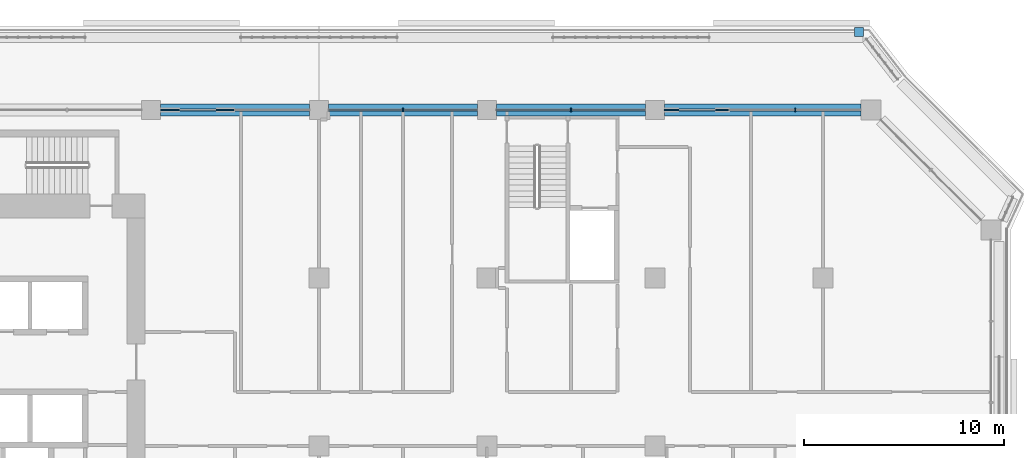
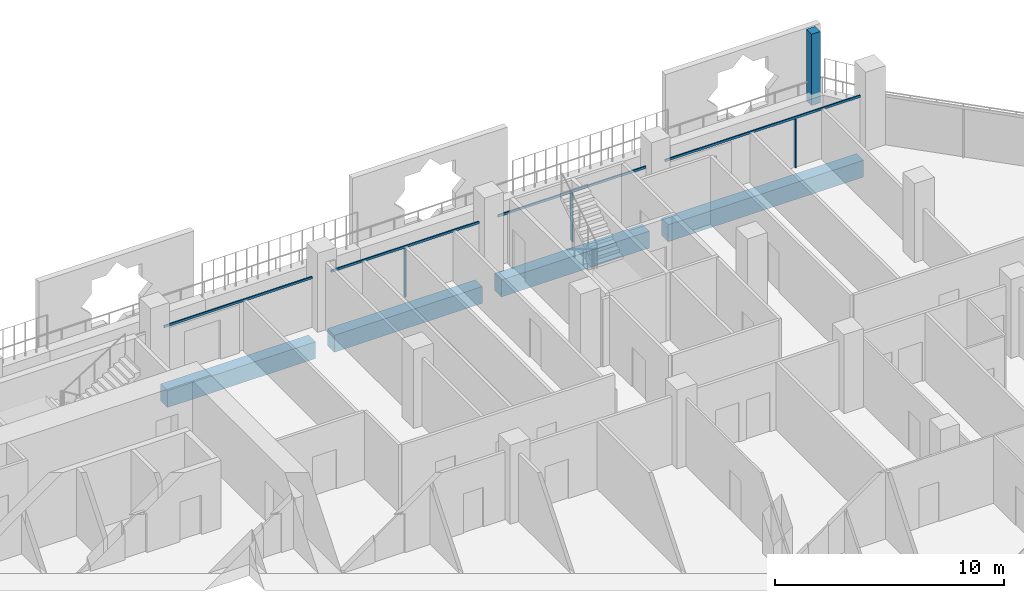
# One storey, part 6 of 22: 8 members, 4 beams, 2 elements without a shape of their own.
"""IFC4 building model written with IfcOpenShell, lengths in metres."""

from ifc_helpers import new_model, si_unit, direction, frame, origin, origin_2d, place, context, subcontext, project, spatial, rectangle, extrude, material, layer, layer_set, material_profile, profile_set, type_object, element, aggregate, save


model = new_model("IFC4")

# Units and contexts
model_context = context("Model", 3, precision=1e-05, world=origin(), true_north=direction((0.0, 1.0)))
body_context = subcontext(model_context, "Body", "Model", "MODEL_VIEW")
ifc_project = project(units=[si_unit("LENGTHUNIT", "METRE"), si_unit("AREAUNIT", "SQUARE_METRE"), si_unit("VOLUMEUNIT", "CUBIC_METRE"), si_unit("PLANEANGLEUNIT", "RADIAN"), si_unit("MASSUNIT", "GRAM", prefix="KILO")], contexts=[model_context])

# Site, building, storey
site_placement = place(None, origin())
site = spatial("IfcSite", under=ifc_project, at=site_placement, CompositionType="ELEMENT")
building_placement = place(site_placement, origin())
building = spatial("IfcBuilding", under=site, at=building_placement, Name="Kawkab Arch Medical Tower", CompositionType="ELEMENT")
storey_placement = place(building_placement, frame((0.0, 0.0, 204.60009765625)))
storey = spatial("IfcBuildingStorey", under=building, at=storey_placement, Name="L47", CompositionType="ELEMENT", Elevation=204.60009765625)

# Curtain wall, members
ifc_material_1 = material(Name="Bronze anodised aluminium curtain wall frame", Category="aluminium")
ifc_layer_1 = layer(ifc_material_1, 0.159912109375)
ifc_layer_set_1 = layer_set([ifc_layer_1], Name="Bronze anodised aluminium curtain wall frame")
curtain_wall_type_1 = type_object("IfcCurtainWallType", Name="CW1 ward curtain wall", PredefinedType="NOTDEFINED", material=ifc_layer_set_1)
placement = place(storey_placement, origin())
curtain_wall_1 = element("IfcCurtainWall", 1, at=placement, inside=storey, type_object=curtain_wall_type_1, Name="CW1 Ward curtain wall R11", PredefinedType="NOTDEFINED")
ifc_material_2 = material(Name="Bronze anodised aluminium curtain wall frame", Category="aluminium")
ifc_material_profile_1 = material_profile(ifc_material_2, rectangle(XDim=0.179931640625, YDim=0.06005859375, at=origin_2d()), Name="AL 60x180")
ifc_profile_set_1 = profile_set([ifc_material_profile_1], Name="Bronze anodised aluminium curtain wall frame")
member_type_1 = type_object("IfcMemberType", Name="CW1 mullion 60 x 180", PredefinedType="MULLION", material=ifc_profile_set_1)
member_1_placement = place(storey_placement, frame((57.425048828125, 0.0, 0.0), z_axis=(0.0, 0.0, 1.0), x_axis=(0.0, -1.0, 0.0)))
member_1 = element("IfcMember", 2, at=member_1_placement, type_object=member_type_1, Name="CW1 mullion 1.1", PredefinedType="MULLION", context=body_context, shape_type="SweptSolid", body=[
    extrude(rectangle(XDim=0.179931640625, YDim=0.06005859375, at=origin_2d()), origin(), (0.0, 0.0, 1.0), 2.579833984375),
])
member_2_placement = place(storey_placement, frame((46.199951171875, 0.0, 0.0), z_axis=(0.0, 0.0, 1.0), x_axis=(0.0, -1.0, 0.0)))
member_2 = element("IfcMember", 3, at=member_2_placement, type_object=member_type_1, Name="CW1 mullion 2.1", PredefinedType="MULLION", context=body_context, shape_type="SweptSolid", body=[
    extrude(rectangle(XDim=0.179931640625, YDim=0.06005859375, at=origin_2d()), origin(), (0.0, 0.0, 1.0), 2.579833984375),
])
member_3_placement = place(storey_placement, frame((37.800048828125, 0.0, 0.0), z_axis=(0.0, 0.0, 1.0), x_axis=(0.0, -1.0, 0.0)))
member_3 = element("IfcMember", 4, at=member_3_placement, type_object=member_type_1, Name="CW1 mullion 3.1", PredefinedType="MULLION", context=body_context, shape_type="SweptSolid", body=[
    extrude(rectangle(XDim=0.179931640625, YDim=0.06005859375, at=origin_2d()), origin(), (0.0, 0.0, 1.0), 2.579833984375),
])
ifc_material_3 = material(Name="Bronze anodised aluminium curtain wall frame", Category="aluminium")
ifc_material_profile_2 = material_profile(ifc_material_3, rectangle(XDim=0.06005859375, YDim=0.1201171875, at=origin_2d()), Name="AL 60x120")
ifc_profile_set_2 = profile_set([ifc_material_profile_2], Name="Bronze anodised aluminium curtain wall frame")
member_type_2 = type_object("IfcMemberType", Name="CW1 transom 120 x 60", PredefinedType="USERDEFINED", material=ifc_profile_set_2)
member_4_placement = place(storey_placement, frame((60.699951171875, 0.0, 2.639892578125), z_axis=(-1.0, 0.0, 0.0), x_axis=(0.0, -1.0, 0.0)))
member_4 = element("IfcMember", 5, at=member_4_placement, type_object=member_type_2, Name="CW1 transom 1", ObjectType="TRANSOM", PredefinedType="USERDEFINED", context=body_context, shape_type="SweptSolid", body=[
    extrude(rectangle(XDim=0.06005859375, YDim=0.1201171875, at=origin_2d()), origin(), (0.0, 0.0, 1.0), 9.824951171875),
])
member_5_placement = place(storey_placement, frame((49.925048828125, 0.0, 2.639892578125), z_axis=(-1.0, 0.0, 0.0), x_axis=(0.0, -1.0, 0.0)))
member_5 = element("IfcMember", 6, at=member_5_placement, type_object=member_type_2, Name="CW1 transom 2", ObjectType="TRANSOM", PredefinedType="USERDEFINED", context=body_context, shape_type="SweptSolid", body=[
    extrude(rectangle(XDim=0.06005859375, YDim=0.1201171875, at=origin_2d()), origin(), (0.0, 0.0, 1.0), 7.449951171875),
])
member_6_placement = place(storey_placement, frame((41.52490234375, 0.0, 2.639892578125), z_axis=(-1.0, 0.0, 0.0), x_axis=(0.0, -1.0, 0.0)))
member_6 = element("IfcMember", 7, at=member_6_placement, type_object=member_type_2, Name="CW1 transom 3", ObjectType="TRANSOM", PredefinedType="USERDEFINED", context=body_context, shape_type="SweptSolid", body=[
    extrude(rectangle(XDim=0.06005859375, YDim=0.1201171875, at=origin_2d()), origin(), (0.0, 0.0, 1.0), 7.449951171875),
])
member_7_placement = place(storey_placement, frame((33.125, 0.0, 2.639892578125), z_axis=(-1.0, 0.0, 0.0), x_axis=(0.0, -1.0, 0.0)))
member_7 = element("IfcMember", 8, at=member_7_placement, type_object=member_type_2, Name="CW1 transom 4", ObjectType="TRANSOM", PredefinedType="USERDEFINED", context=body_context, shape_type="SweptSolid", body=[
    extrude(rectangle(XDim=0.06005859375, YDim=0.1201171875, at=origin_2d()), origin(), (0.0, 0.0, 1.0), 7.449951171875),
])
aggregate(curtain_wall_1, [member_4, member_1, member_5, member_2, member_6, member_3, member_7])

# Curtain wall, member
ifc_material_4 = material(Name="Bronze anodised aluminium climber frame, planted", Category="aluminium")
ifc_layer_2 = layer(ifc_material_4, 0.449951171875)
ifc_layer_set_2 = layer_set([ifc_layer_2], Name="Bronze anodised aluminium climber frame, planted")
curtain_wall_type_2 = type_object("IfcCurtainWallType", Name="Planted climber frame", PredefinedType="NOTDEFINED", material=ifc_layer_set_2)
curtain_wall_2 = element("IfcCurtainWall", 9, at=placement, inside=storey, type_object=curtain_wall_type_2, Name="Planted climber frame L47", PredefinedType="NOTDEFINED")
ifc_material_5 = material(Name="Bronze anodised aluminium climber frame, planted", Category="aluminium")
ifc_material_profile_3 = material_profile(ifc_material_5, rectangle(XDim=0.449951171875, YDim=0.449951171875, at=origin_2d()), Name="Post 450x450")
ifc_profile_set_3 = profile_set([ifc_material_profile_3], Name="Bronze anodised aluminium climber frame, planted")
member_type_3 = type_object("IfcMemberType", Name="Planted climber post 450 x 450", PredefinedType="MULLION", material=ifc_profile_set_3)
member_8_placement = place(storey_placement, frame((60.60302734375, 3.89990234375, 0.0), z_axis=(0.0, 0.0, 1.0), x_axis=(1.0, 0.0, 0.0)))
member_8 = element("IfcMember", 10, at=member_8_placement, type_object=member_type_3, Name="Planted climber post L47.LOG-01-01.2", PredefinedType="MULLION", context=body_context, shape_type="SweptSolid", body=[
    extrude(rectangle(XDim=0.449951171875, YDim=0.449951171875, at=origin_2d()), origin(), (0.0, 0.0, 1.0), 3.7998046875),
])
aggregate(curtain_wall_2, [member_8])

# Beams
ifc_material_6 = material(Name="Concrete C50/60", Category="concrete")
ifc_material_profile_4 = material_profile(ifc_material_6, rectangle(XDim=0.60009765625, YDim=0.89990234375, at=origin_2d()), Name="RC 600x900")
ifc_profile_set_4 = profile_set([ifc_material_profile_4], Name="Concrete C50/60")
beam_type = type_object("IfcBeamType", Name="RC 600x900 beam C50/60", PredefinedType="BEAM", material=ifc_profile_set_4)
for number, where, z_axis, x_axis, name in (
    (11, (25.675048828125, 0.0, -1.050048828125), (1.0, 0.0, 0.0), (0.0, 1.0, 0.0), "Overhang edge beam L47-04"),
    (12, (34.074951171875, 0.0, -1.050048828125), (1.0, 0.0, 0.0), (0.0, 1.0, 0.0), "Overhang edge beam L47-05"),
    (13, (42.47509765625, 0.0, -1.050048828125), (1.0, 0.0, 0.0), (0.0, 1.0, 0.0), "Overhang edge beam L47-06"),
):
    element("IfcBeam", number, at=place(storey_placement, frame(where, z_axis=z_axis, x_axis=x_axis)), inside=storey, type_object=beam_type, Name=name, PredefinedType="BEAM", context=body_context, shape_type="SweptSolid", body=[
        extrude(rectangle(XDim=0.60009765625, YDim=0.89990234375, at=origin_2d()), origin(), (0.0, 0.0, 1.0), 7.449951171875),
    ])
beam_placement = place(storey_placement, frame((50.875, 0.0, -1.050048828125), z_axis=(1.0, 0.0, 0.0), x_axis=(0.0, 1.0, 0.0)))
element("IfcBeam", 14, at=beam_placement, inside=storey, type_object=beam_type, Name="Overhang edge beam L47-07", PredefinedType="BEAM", context=body_context, shape_type="SweptSolid", body=[
    extrude(rectangle(XDim=0.60009765625, YDim=0.89990234375, at=origin_2d()), origin(), (0.0, 0.0, 1.0), 9.824951171875),
])

save(model, "model.ifc")
